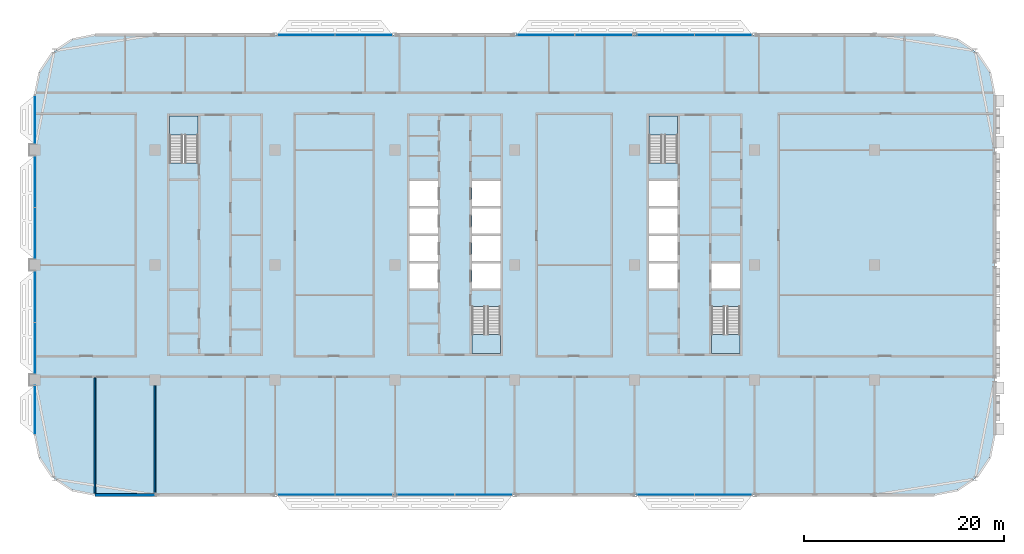
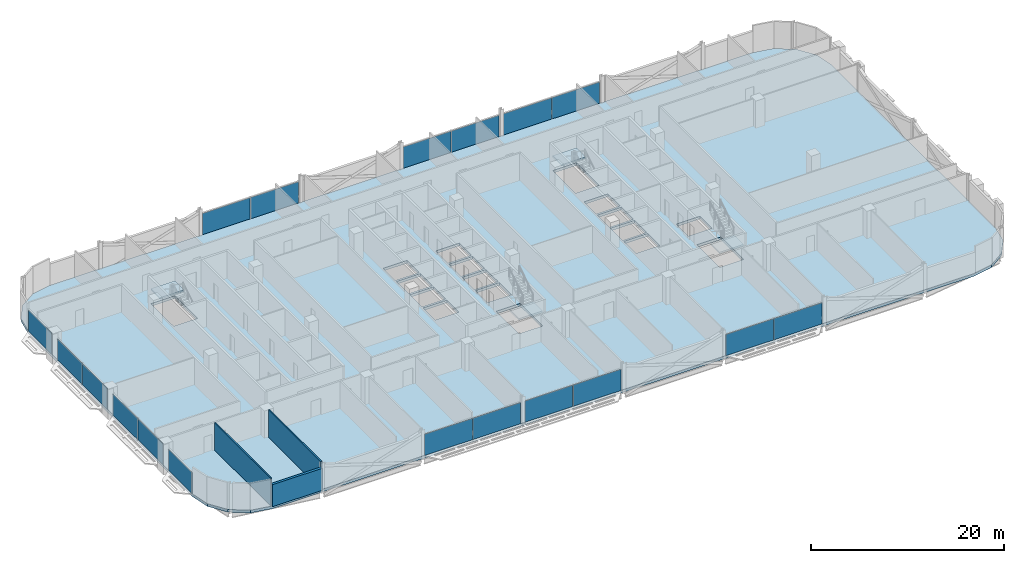
# One storey, part 12 of 30: 18 plates, 5 slabs, 3 walls, 14 elements without a shape of their own.
"""IFC4 building model written with IfcOpenShell, lengths in metres."""

from ifc_helpers import new_model, si_unit, direction, frame, frame_2d, origin, origin_2d, place, context, subcontext, project, spatial, polyline, rectangle, outline, extrude, material, layer, layer_set, type_object, element, aggregate, save


model = new_model("IFC4")

# Units and contexts
model_context = context("Model", 3, precision=1e-05, world=origin(), true_north=direction((0.0, 1.0)))
body_context = subcontext(model_context, "Body", "Model", "MODEL_VIEW")
ifc_project = project(units=[si_unit("LENGTHUNIT", "METRE"), si_unit("AREAUNIT", "SQUARE_METRE"), si_unit("VOLUMEUNIT", "CUBIC_METRE"), si_unit("PLANEANGLEUNIT", "RADIAN"), si_unit("MASSUNIT", "GRAM", prefix="KILO")], contexts=[model_context])

# Site, building, storey
site_placement = place(None, origin())
site = spatial("IfcSite", under=ifc_project, at=site_placement, CompositionType="ELEMENT")
building_placement = place(site_placement, origin())
building = spatial("IfcBuilding", under=site, at=building_placement, Name="Mahtab Terrace Research Tower", CompositionType="ELEMENT")
storey_placement = place(building_placement, frame((0.0, 0.0, 201.5)))
storey = spatial("IfcBuildingStorey", under=building, at=storey_placement, Name="L48", CompositionType="ELEMENT", Elevation=201.5)

# Stair, slab
ifc_material_1 = material(Name="Exit stair half-turn")
stair_type = type_object("IfcStairType", Name="Exit stair half-turn", PredefinedType="HALF_TURN_STAIR", material=ifc_material_1)
stair_1_placement = place(storey_placement, origin())
stair_1 = element("IfcStair", 1, at=stair_1_placement, inside=storey, type_object=stair_type, Name="L48 Protected exit stair ST1", PredefinedType="HALF_TURN_STAIR")
ifc_material_2 = material(Name="Concrete C40/50", Category="concrete")
ifc_layer_1 = layer(ifc_material_2, 0.199951171875)
ifc_layer_set_1 = layer_set([ifc_layer_1], Name="Exit stair landing 200")
slab_type_1 = type_object("IfcSlabType", Name="Exit stair landing 200", PredefinedType="LANDING", material=ifc_layer_set_1)
slab_1_placement = place(storey_placement, frame((0.0, 0.0, 1.699951171875)))
slab_1 = element("IfcSlab", 2, at=slab_1_placement, type_object=slab_type_1, Name="ST1 landing 1", PredefinedType="LANDING", context=body_context, shape_type="SweptSolid", body=[
    extrude(outline(polyline([(-25.699951171875, 12.97509765625), (-25.699951171875, 14.875), (-28.550048828125, 14.875), (-28.550048828125, 12.97509765625), (-25.699951171875, 12.97509765625)])), origin(), (0.0, 0.0, 1.0), 0.199951171875),
])
aggregate(stair_1, [slab_1])

stair_2_placement = place(storey_placement, origin())
stair_2 = element("IfcStair", 3, at=stair_2_placement, inside=storey, type_object=stair_type, Name="L48 Protected exit stair ST2", PredefinedType="HALF_TURN_STAIR")
slab_2_placement = place(storey_placement, frame((0.0, 0.0, 1.699951171875)))
slab_2 = element("IfcSlab", 4, at=slab_2_placement, type_object=slab_type_1, Name="ST2 landing 1", PredefinedType="LANDING", context=body_context, shape_type="SweptSolid", body=[
    extrude(outline(polyline([(1.699951171875, -6.97509765625), (1.699951171875, -8.875), (4.550048828125, -8.875), (4.550048828125, -6.97509765625), (1.699951171875, -6.97509765625)])), origin(), (0.0, 0.0, 1.0), 0.199951171875),
])
aggregate(stair_2, [slab_2])

stair_3_placement = place(storey_placement, origin())
stair_3 = element("IfcStair", 5, at=stair_3_placement, inside=storey, type_object=stair_type, Name="L48 Protected exit stair ST3", PredefinedType="HALF_TURN_STAIR")
slab_3_placement = place(storey_placement, frame((0.0, 0.0, 1.699951171875)))
slab_3 = element("IfcSlab", 6, at=slab_3_placement, type_object=slab_type_1, Name="ST3 landing 1", PredefinedType="LANDING", context=body_context, shape_type="SweptSolid", body=[
    extrude(outline(polyline([(22.300048828125, 12.97509765625), (22.300048828125, 14.875), (19.449951171875, 14.875), (19.449951171875, 12.97509765625), (22.300048828125, 12.97509765625)])), origin(), (0.0, 0.0, 1.0), 0.199951171875),
])
aggregate(stair_3, [slab_3])

stair_4_placement = place(storey_placement, origin())
stair_4 = element("IfcStair", 7, at=stair_4_placement, inside=storey, type_object=stair_type, Name="L48 Protected exit stair ST4", PredefinedType="HALF_TURN_STAIR")
slab_4_placement = place(storey_placement, frame((0.0, 0.0, 1.699951171875)))
slab_4 = element("IfcSlab", 8, at=slab_4_placement, type_object=slab_type_1, Name="ST4 landing 1", PredefinedType="LANDING", context=body_context, shape_type="SweptSolid", body=[
    extrude(outline(polyline([(25.699951171875, -6.97509765625), (25.699951171875, -8.875), (28.550048828125, -8.875), (28.550048828125, -6.97509765625), (25.699951171875, -6.97509765625)])), origin(), (0.0, 0.0, 1.0), 0.199951171875),
])
aggregate(stair_4, [slab_4])

# Curtain wall, plates
ifc_material_3 = material(Name="Laboratory ribbon curtain wall")
curtain_wall_type = type_object("IfcCurtainWallType", Name="Laboratory ribbon curtain wall", PredefinedType="NOTDEFINED", material=ifc_material_3)
curtain_wall_1_placement = place(storey_placement, origin())
curtain_wall_1 = element("IfcCurtainWall", 9, at=curtain_wall_1_placement, inside=storey, type_object=curtain_wall_type, Name="EN.L48.3.5", PredefinedType="NOTDEFINED")
ifc_material_4 = material(Name="Dark glazing", Category="glass")
ifc_layer_2 = layer(ifc_material_4, 0.031982421875)
ifc_layer_set_2 = layer_set([ifc_layer_2], Name="Laboratory ribbon curtain wall glazing panel")
plate_type = type_object("IfcPlateType", Name="Laboratory ribbon curtain wall glazing panel", PredefinedType="CURTAIN_PANEL", material=ifc_layer_set_2)
plate_1_placement = place(storey_placement, frame((26.8837890625, 23.0, 0.0), z_axis=(0.0, 0.0, 1.0), x_axis=(-1.0, 0.0, 0.0)))
plate_1 = element("IfcPlate", 10, at=plate_1_placement, type_object=plate_type, Name="CWL-6 panel 1", PredefinedType="CURTAIN_PANEL", context=body_context, shape_type="SweptSolid", body=[
    extrude(rectangle(XDim=5.702392578125, YDim=0.031982421875, at=origin_2d()), origin(), (0.0, 0.0, 1.0), 2.681884765625),
])
plate_2_placement = place(storey_placement, frame((21.1162109375, 23.0, 0.0), z_axis=(0.0, 0.0, 1.0), x_axis=(-1.0, 0.0, 0.0)))
plate_2 = element("IfcPlate", 11, at=plate_2_placement, type_object=plate_type, Name="CWL-6 panel 2", PredefinedType="CURTAIN_PANEL", context=body_context, shape_type="SweptSolid", body=[
    extrude(rectangle(XDim=5.702392578125, YDim=0.031982421875, at=origin_2d()), origin(), (0.0, 0.0, 1.0), 2.681884765625),
])
aggregate(curtain_wall_1, [plate_1, plate_2])

curtain_wall_2_placement = place(storey_placement, origin())
curtain_wall_2 = element("IfcCurtainWall", 12, at=curtain_wall_2_placement, inside=storey, type_object=curtain_wall_type, Name="EN.L48.3.6", PredefinedType="NOTDEFINED")
plate_3_placement = place(storey_placement, frame((14.8837890625, 23.0, 0.0), z_axis=(0.0, 0.0, 1.0), x_axis=(-1.0, 0.0, 0.0)))
plate_3 = element("IfcPlate", 13, at=plate_3_placement, type_object=plate_type, Name="CWL-6 panel 1", PredefinedType="CURTAIN_PANEL", context=body_context, shape_type="SweptSolid", body=[
    extrude(rectangle(XDim=5.702392578125, YDim=0.031982421875, at=origin_2d()), origin(), (0.0, 0.0, 1.0), 2.681884765625),
])
plate_4_placement = place(storey_placement, frame((9.1162109375, 23.0, 0.0), z_axis=(0.0, 0.0, 1.0), x_axis=(-1.0, 0.0, 0.0)))
plate_4 = element("IfcPlate", 14, at=plate_4_placement, type_object=plate_type, Name="CWL-6 panel 2", PredefinedType="CURTAIN_PANEL", context=body_context, shape_type="SweptSolid", body=[
    extrude(rectangle(XDim=5.702392578125, YDim=0.031982421875, at=origin_2d()), origin(), (0.0, 0.0, 1.0), 2.681884765625),
])
aggregate(curtain_wall_2, [plate_3, plate_4])

curtain_wall_3_placement = place(storey_placement, origin())
curtain_wall_3 = element("IfcCurtainWall", 15, at=curtain_wall_3_placement, inside=storey, type_object=curtain_wall_type, Name="EN.L48.3.8", PredefinedType="NOTDEFINED")
plate_5_placement = place(storey_placement, frame((-9.1162109375, 23.0, 0.0), z_axis=(0.0, 0.0, 1.0), x_axis=(-1.0, 0.0, 0.0)))
plate_5 = element("IfcPlate", 16, at=plate_5_placement, type_object=plate_type, Name="CWL-6 panel 1", PredefinedType="CURTAIN_PANEL", context=body_context, shape_type="SweptSolid", body=[
    extrude(rectangle(XDim=5.702392578125, YDim=0.031982421875, at=origin_2d()), origin(), (0.0, 0.0, 1.0), 2.681884765625),
])
plate_6_placement = place(storey_placement, frame((-14.8837890625, 23.0, 0.0), z_axis=(0.0, 0.0, 1.0), x_axis=(-1.0, 0.0, 0.0)))
plate_6 = element("IfcPlate", 17, at=plate_6_placement, type_object=plate_type, Name="CWL-6 panel 2", PredefinedType="CURTAIN_PANEL", context=body_context, shape_type="SweptSolid", body=[
    extrude(rectangle(XDim=5.702392578125, YDim=0.031982421875, at=origin_2d()), origin(), (0.0, 0.0, 1.0), 2.681884765625),
])
aggregate(curtain_wall_3, [plate_5, plate_6])

# Curtain wall, plate
curtain_wall_4_placement = place(storey_placement, origin())
curtain_wall_4 = element("IfcCurtainWall", 18, at=curtain_wall_4_placement, inside=storey, type_object=curtain_wall_type, Name="EN.L48.8.15", PredefinedType="NOTDEFINED")
plate_7_placement = place(storey_placement, frame((-42.0, 14.52490234375, 0.0), z_axis=(0.0, 0.0, 1.0), x_axis=(0.0, -1.0, 0.0)))
plate_7 = element("IfcPlate", 19, at=plate_7_placement, type_object=plate_type, Name="CWL-6 panel 1", PredefinedType="CURTAIN_PANEL", context=body_context, shape_type="SweptSolid", body=[
    extrude(rectangle(XDim=4.820068359375, YDim=0.031982421875, at=origin_2d()), origin(), (0.0, 0.0, 1.0), 2.681884765625),
])
aggregate(curtain_wall_4, [plate_7])

# Curtain wall, plates
curtain_wall_5_placement = place(storey_placement, origin())
curtain_wall_5 = element("IfcCurtainWall", 20, at=curtain_wall_5_placement, inside=storey, type_object=curtain_wall_type, Name="EN.L48.8.16", PredefinedType="NOTDEFINED")
plate_8_placement = place(storey_placement, frame((-42.0, 8.333740234375, 0.0), z_axis=(0.0, 0.0, 1.0), x_axis=(0.0, -1.0, 0.0)))
plate_8 = element("IfcPlate", 21, at=plate_8_placement, type_object=plate_type, Name="CWL-6 panel 1", PredefinedType="CURTAIN_PANEL", context=body_context, shape_type="SweptSolid", body=[
    extrude(rectangle(XDim=5.1025390625, YDim=0.031982421875, at=origin_2d()), origin(), (0.0, 0.0, 1.0), 2.681884765625),
])
plate_9_placement = place(storey_placement, frame((-42.0, 3.166259765625, 0.0), z_axis=(0.0, 0.0, 1.0), x_axis=(0.0, -1.0, 0.0)))
plate_9 = element("IfcPlate", 22, at=plate_9_placement, type_object=plate_type, Name="CWL-6 panel 2", PredefinedType="CURTAIN_PANEL", context=body_context, shape_type="SweptSolid", body=[
    extrude(rectangle(XDim=5.1025390625, YDim=0.031982421875, at=origin_2d()), origin(), (0.0, 0.0, 1.0), 2.681884765625),
])
aggregate(curtain_wall_5, [plate_8, plate_9])

curtain_wall_6_placement = place(storey_placement, origin())
curtain_wall_6 = element("IfcCurtainWall", 23, at=curtain_wall_6_placement, inside=storey, type_object=curtain_wall_type, Name="EN.L48.8.17", PredefinedType="NOTDEFINED")
plate_10_placement = place(storey_placement, frame((-42.0, -3.166259765625, 0.0), z_axis=(0.0, 0.0, 1.0), x_axis=(0.0, -1.0, 0.0)))
plate_10 = element("IfcPlate", 24, at=plate_10_placement, type_object=plate_type, Name="CWL-6 panel 1", PredefinedType="CURTAIN_PANEL", context=body_context, shape_type="SweptSolid", body=[
    extrude(rectangle(XDim=5.1025390625, YDim=0.031982421875, at=origin_2d()), origin(), (0.0, 0.0, 1.0), 2.681884765625),
])
plate_11_placement = place(storey_placement, frame((-42.0, -8.333740234375, 0.0), z_axis=(0.0, 0.0, 1.0), x_axis=(0.0, -1.0, 0.0)))
plate_11 = element("IfcPlate", 25, at=plate_11_placement, type_object=plate_type, Name="CWL-6 panel 2", PredefinedType="CURTAIN_PANEL", context=body_context, shape_type="SweptSolid", body=[
    extrude(rectangle(XDim=5.1025390625, YDim=0.031982421875, at=origin_2d()), origin(), (0.0, 0.0, 1.0), 2.681884765625),
])
aggregate(curtain_wall_6, [plate_10, plate_11])

# Curtain wall, plate
curtain_wall_7_placement = place(storey_placement, origin())
curtain_wall_7 = element("IfcCurtainWall", 26, at=curtain_wall_7_placement, inside=storey, type_object=curtain_wall_type, Name="EN.L48.8.18", PredefinedType="NOTDEFINED")
plate_12_placement = place(storey_placement, frame((-42.0, -14.52490234375, 0.0), z_axis=(0.0, 0.0, 1.0), x_axis=(0.0, -1.0, 0.0)))
plate_12 = element("IfcPlate", 27, at=plate_12_placement, type_object=plate_type, Name="CWL-6 panel 1", PredefinedType="CURTAIN_PANEL", context=body_context, shape_type="SweptSolid", body=[
    extrude(rectangle(XDim=4.820068359375, YDim=0.031982421875, at=origin_2d()), origin(), (0.0, 0.0, 1.0), 2.681884765625),
])
aggregate(curtain_wall_7, [plate_12])

# Curtain wall, plates
curtain_wall_8_placement = place(storey_placement, origin())
curtain_wall_8 = element("IfcCurtainWall", 28, at=curtain_wall_8_placement, inside=storey, type_object=curtain_wall_type, Name="EN.L48.13.25", PredefinedType="NOTDEFINED")
plate_13_placement = place(storey_placement, frame((-14.8837890625, -23.0, 0.0), z_axis=(0.0, 0.0, 1.0), x_axis=(1.0, 0.0, 0.0)))
plate_13 = element("IfcPlate", 29, at=plate_13_placement, type_object=plate_type, Name="CWL-6 panel 1", PredefinedType="CURTAIN_PANEL", context=body_context, shape_type="SweptSolid", body=[
    extrude(rectangle(XDim=5.702392578125, YDim=0.031982421875, at=origin_2d()), origin(), (0.0, 0.0, 1.0), 2.681884765625),
])
plate_14_placement = place(storey_placement, frame((-9.1162109375, -23.0, 0.0), z_axis=(0.0, 0.0, 1.0), x_axis=(1.0, 0.0, 0.0)))
plate_14 = element("IfcPlate", 30, at=plate_14_placement, type_object=plate_type, Name="CWL-6 panel 2", PredefinedType="CURTAIN_PANEL", context=body_context, shape_type="SweptSolid", body=[
    extrude(rectangle(XDim=5.702392578125, YDim=0.031982421875, at=origin_2d()), origin(), (0.0, 0.0, 1.0), 2.681884765625),
])
aggregate(curtain_wall_8, [plate_13, plate_14])

curtain_wall_9_placement = place(storey_placement, origin())
curtain_wall_9 = element("IfcCurtainWall", 31, at=curtain_wall_9_placement, inside=storey, type_object=curtain_wall_type, Name="EN.L48.13.26", PredefinedType="NOTDEFINED")
plate_15_placement = place(storey_placement, frame((-2.8837890625, -23.0, 0.0), z_axis=(0.0, 0.0, 1.0), x_axis=(1.0, 0.0, 0.0)))
plate_15 = element("IfcPlate", 32, at=plate_15_placement, type_object=plate_type, Name="CWL-6 panel 1", PredefinedType="CURTAIN_PANEL", context=body_context, shape_type="SweptSolid", body=[
    extrude(rectangle(XDim=5.702392578125, YDim=0.031982421875, at=origin_2d()), origin(), (0.0, 0.0, 1.0), 2.681884765625),
])
plate_16_placement = place(storey_placement, frame((2.8837890625, -23.0, 0.0), z_axis=(0.0, 0.0, 1.0), x_axis=(1.0, 0.0, 0.0)))
plate_16 = element("IfcPlate", 33, at=plate_16_placement, type_object=plate_type, Name="CWL-6 panel 2", PredefinedType="CURTAIN_PANEL", context=body_context, shape_type="SweptSolid", body=[
    extrude(rectangle(XDim=5.702392578125, YDim=0.031982421875, at=origin_2d()), origin(), (0.0, 0.0, 1.0), 2.681884765625),
])
aggregate(curtain_wall_9, [plate_15, plate_16])

curtain_wall_10_placement = place(storey_placement, origin())
curtain_wall_10 = element("IfcCurtainWall", 34, at=curtain_wall_10_placement, inside=storey, type_object=curtain_wall_type, Name="EN.L48.13.28", PredefinedType="NOTDEFINED")
plate_17_placement = place(storey_placement, frame((21.1162109375, -23.0, 0.0), z_axis=(0.0, 0.0, 1.0), x_axis=(1.0, 0.0, 0.0)))
plate_17 = element("IfcPlate", 35, at=plate_17_placement, type_object=plate_type, Name="CWL-6 panel 1", PredefinedType="CURTAIN_PANEL", context=body_context, shape_type="SweptSolid", body=[
    extrude(rectangle(XDim=5.702392578125, YDim=0.031982421875, at=origin_2d()), origin(), (0.0, 0.0, 1.0), 2.681884765625),
])
plate_18_placement = place(storey_placement, frame((26.8837890625, -23.0, 0.0), z_axis=(0.0, 0.0, 1.0), x_axis=(1.0, 0.0, 0.0)))
plate_18 = element("IfcPlate", 36, at=plate_18_placement, type_object=plate_type, Name="CWL-6 panel 2", PredefinedType="CURTAIN_PANEL", context=body_context, shape_type="SweptSolid", body=[
    extrude(rectangle(XDim=5.702392578125, YDim=0.031982421875, at=origin_2d()), origin(), (0.0, 0.0, 1.0), 2.681884765625),
])
aggregate(curtain_wall_10, [plate_17, plate_18])

# Slab
ifc_layer_3 = layer(ifc_material_2, 0.340087890625)
ifc_layer_set_3 = layer_set([ifc_layer_3], Name="PT flat slab 340")
slab_type_2 = type_object("IfcSlabType", Name="PT flat slab 340", PredefinedType="FLOOR", material=ifc_layer_set_3)
slab_5_placement = place(storey_placement, frame((0.0, 0.0, -0.340087890625)))
element("IfcSlab", 37, at=slab_5_placement, inside=storey, type_object=slab_type_2, Name="Floor slab L48", PredefinedType="FLOOR", context=body_context, shape_type="SweptSolid", body=[
    extrude(outline(polyline([(53.54296875, 19.2958984375), (52.242919921875, 21.242919921875), (50.2958984375, 22.54296875), (48.0, 23.0), (-36.0, 23.0), (-38.2958984375, 22.54296875), (-40.242919921875, 21.242919921875), (-41.54296875, 19.2958984375), (-42.0, 17.0), (-42.0, -17.0), (-41.54296875, -19.2958984375), (-40.242919921875, -21.242919921875), (-38.2958984375, -22.54296875), (-36.0, -23.0), (48.0, -23.0), (50.2958984375, -22.54296875), (52.242919921875, -21.242919921875), (53.54296875, -19.2958984375), (54.0, -17.0), (54.0, 17.0), (53.54296875, 19.2958984375)]), holes=[polyline([(-4.550048828125, -2.375), (-4.550048828125, 0.125), (-1.699951171875, 0.125), (-1.699951171875, -2.375), (-4.550048828125, -2.375)]), polyline([(1.699951171875, -2.375), (1.699951171875, 0.125), (4.550048828125, 0.125), (4.550048828125, -2.375), (1.699951171875, -2.375)]), polyline([(-4.550048828125, 0.375), (-4.550048828125, 2.875), (-1.699951171875, 2.875), (-1.699951171875, 0.375), (-4.550048828125, 0.375)]), polyline([(1.699951171875, 0.375), (1.699951171875, 2.875), (4.550048828125, 2.875), (4.550048828125, 0.375), (1.699951171875, 0.375)]), polyline([(-4.550048828125, 3.125), (-4.550048828125, 5.625), (-1.699951171875, 5.625), (-1.699951171875, 3.125), (-4.550048828125, 3.125)]), polyline([(1.699951171875, 3.125), (1.699951171875, 5.625), (4.550048828125, 5.625), (4.550048828125, 3.125), (1.699951171875, 3.125)]), polyline([(-4.550048828125, 5.875), (-4.550048828125, 8.375), (-1.699951171875, 8.375), (-1.699951171875, 5.875), (-4.550048828125, 5.875)]), polyline([(1.699951171875, 5.875), (1.699951171875, 8.375), (4.550048828125, 8.375), (4.550048828125, 5.875), (1.699951171875, 5.875)]), polyline([(-28.550048828125, 10.177001953125), (-28.550048828125, 14.875), (-25.699951171875, 14.875), (-25.699951171875, 10.177001953125), (-28.550048828125, 10.177001953125)]), polyline([(1.699951171875, -8.875), (1.699951171875, -4.177001953125), (4.550048828125, -4.177001953125), (4.550048828125, -8.875), (1.699951171875, -8.875)]), polyline([(25.699951171875, -8.875), (25.699951171875, -4.177001953125), (28.550048828125, -4.177001953125), (28.550048828125, -8.875), (25.699951171875, -8.875)]), polyline([(19.449951171875, -2.375), (19.449951171875, 0.125), (22.300048828125, 0.125), (22.300048828125, -2.375), (19.449951171875, -2.375)]), polyline([(25.699951171875, -2.375), (25.699951171875, 0.125), (28.550048828125, 0.125), (28.550048828125, -2.375), (25.699951171875, -2.375)]), polyline([(19.449951171875, 0.375), (19.449951171875, 2.875), (22.300048828125, 2.875), (22.300048828125, 0.375), (19.449951171875, 0.375)]), polyline([(19.449951171875, 3.125), (19.449951171875, 5.625), (22.300048828125, 5.625), (22.300048828125, 3.125), (19.449951171875, 3.125)]), polyline([(19.449951171875, 8.375), (22.300048828125, 8.375), (22.300048828125, 5.875), (19.449951171875, 5.875), (19.449951171875, 8.375)]), polyline([(19.449951171875, 14.875), (22.300048828125, 14.875), (22.300048828125, 10.177001953125), (19.449951171875, 10.177001953125), (19.449951171875, 14.875)])]), origin(), (0.0, 0.0, 1.0), 0.340087890625),
])

# Walls
ifc_material_5 = material(Name="Black aluminium cladding panel", Category="aluminium")
ifc_layer_4 = layer(ifc_material_5, 0.300048828125)
ifc_layer_set_4 = layer_set([ifc_layer_4], Name="Opaque facade wall 300")
wall_type_1 = type_object("IfcWallType", Name="Opaque facade wall 300", PredefinedType="NOTDEFINED", material=ifc_layer_set_4)
wall_1_placement = place(storey_placement, frame((-36.0, -23.0, 0.0), z_axis=(0.0, 0.0, 1.0), x_axis=(1.0, 0.0, 0.0)))
element("IfcWall", 38, at=wall_1_placement, inside=storey, type_object=wall_type_1, Name="Opaque facade wall L48 S23", PredefinedType="NOTDEFINED", context=body_context, shape_type="SweptSolid", body=[
    extrude(rectangle(XDim=5.987548828125, YDim=0.300048828125, at=frame_2d((2.99365234375, 0.0))), origin(), (0.0, 0.0, 1.0), 2.78173828125),
])
ifc_material_6 = material(Name="Gypsum board partition on steel studs", Category="steel")
ifc_layer_5 = layer(ifc_material_6, 0.14990234375)
ifc_layer_set_5 = layer_set([ifc_layer_5], Name="WALL PARTITION 150")
wall_type_2 = type_object("IfcWallType", Name="WALL PARTITION 150", PredefinedType="PARTITIONING", material=ifc_layer_set_5)
wall_2_placement = place(storey_placement, frame((-36.0, -22.84716796875, 0.0), z_axis=(0.0, 0.0, 1.0), x_axis=(0.0, 1.0, 0.0)))
element("IfcWall", 39, at=wall_2_placement, inside=storey, type_object=wall_type_2, Name="L48-W025", PredefinedType="PARTITIONING", context=body_context, shape_type="SweptSolid", body=[
    extrude(rectangle(XDim=11.547119140625, YDim=0.14990234375, at=frame_2d((5.7734375, 0.0))), origin(), (0.0, 0.0, 1.0), 3.4599609375),
])
wall_3_placement = place(storey_placement, frame((-30.0, -22.85009765625, 0.0), z_axis=(0.0, 0.0, 1.0), x_axis=(0.0, 1.0, 0.0)))
element("IfcWall", 40, at=wall_3_placement, inside=storey, type_object=wall_type_2, Name="L48-W028", PredefinedType="PARTITIONING", context=body_context, shape_type="SweptSolid", body=[
    extrude(rectangle(XDim=10.800048828125, YDim=0.14990234375, at=frame_2d((5.39990234375, 0.0))), origin(), (0.0, 0.0, 1.0), 3.4599609375),
])

save(model, "model.ifc")
